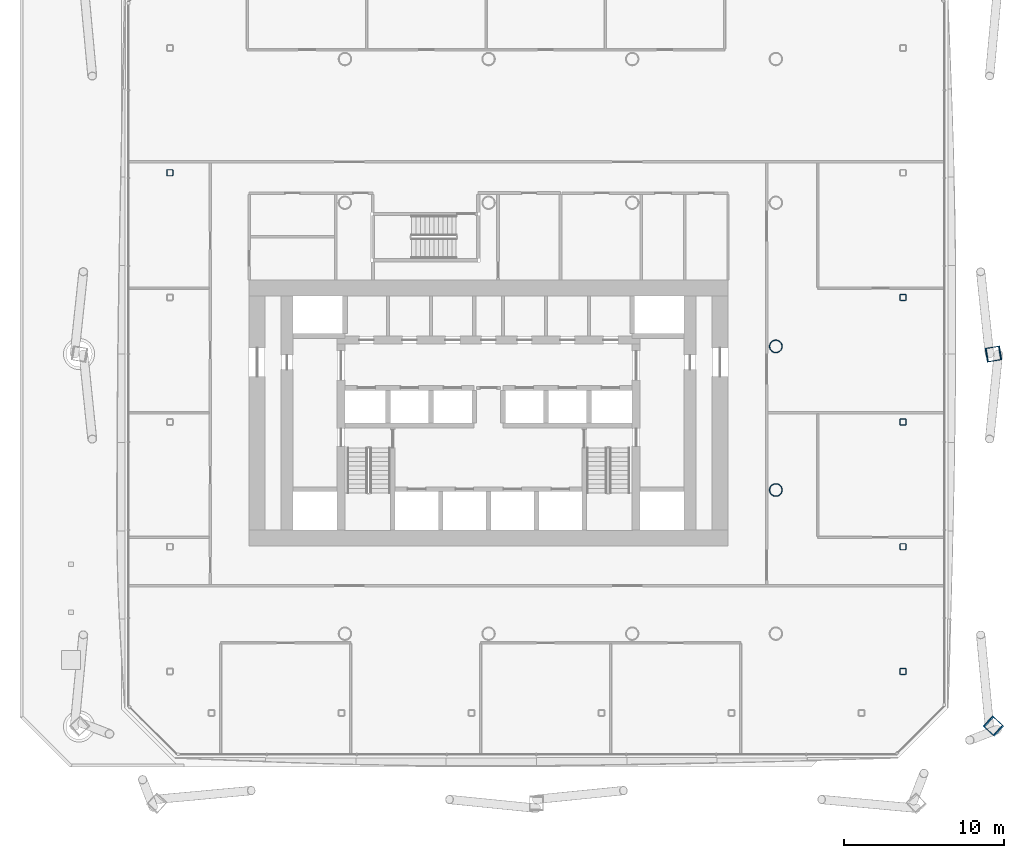
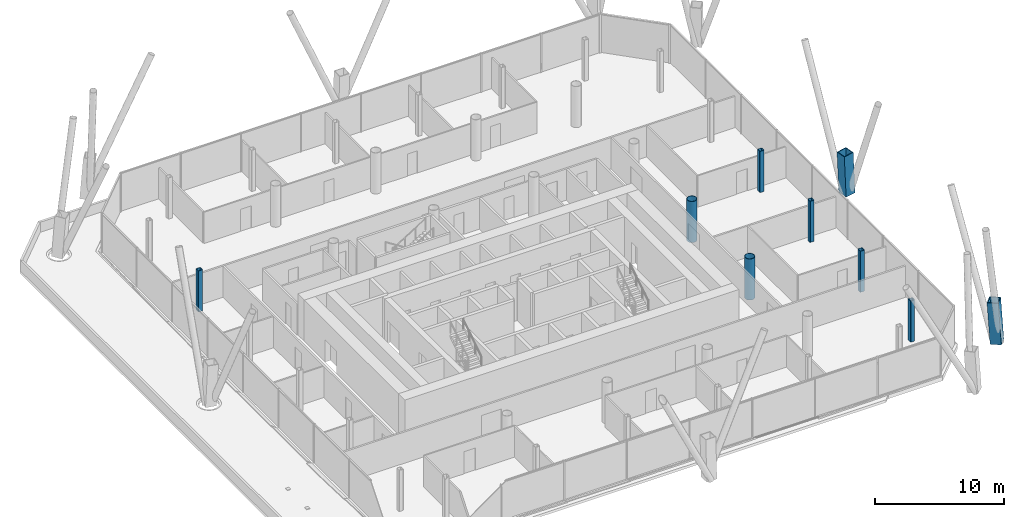
# One storey, part 2 of 23: 9 columns.
"""IFC4 building model written with IfcOpenShell, lengths in metres."""

from ifc_helpers import new_model, si_unit, direction, frame, origin, origin_2d, place, context, subcontext, project, spatial, hollow_rectangle, hollow_circle, extrude, material, material_profile, profile_set, type_object, element, save


model = new_model("IFC4")

# Units and contexts
model_context = context("Model", 3, precision=1e-05, world=origin(), true_north=direction((0.0, 1.0)))
body_context = subcontext(model_context, "Body", "Model", "MODEL_VIEW")
ifc_project = project(units=[si_unit("LENGTHUNIT", "METRE"), si_unit("AREAUNIT", "SQUARE_METRE"), si_unit("VOLUMEUNIT", "CUBIC_METRE"), si_unit("PLANEANGLEUNIT", "RADIAN"), si_unit("MASSUNIT", "GRAM", prefix="KILO")], contexts=[model_context])

# Site, building, storey
site_placement = place(None, origin())
site = spatial("IfcSite", under=ifc_project, at=site_placement, CompositionType="ELEMENT")
building_placement = place(site_placement, origin())
building = spatial("IfcBuilding", under=site, at=building_placement, Name="Tskaro Facet Tower", CompositionType="ELEMENT")
storey_placement = place(building_placement, frame((0.0, 0.0, 62.10009765625)))
storey = spatial("IfcBuildingStorey", under=building, at=storey_placement, Name="L14", CompositionType="ELEMENT", Elevation=62.10009765625)

# Columns
ifc_material_1 = material(Name="Steel S460M", Category="steel")
ifc_material_profile_1 = material_profile(ifc_material_1, hollow_rectangle(XDim=0.89990234375, YDim=0.89990234375, WallThickness=0.054931640625, at=origin_2d()), Name="BOX 900x900x55")
ifc_profile_set_1 = profile_set([ifc_material_profile_1], Name="Steel S460M")
column_type_1 = type_object("IfcColumnType", Name="BOX 900x900x55 mega column", PredefinedType="COLUMN", material=ifc_profile_set_1)
column_1_placement = place(storey_placement, frame((31.658935546875, -23.81591796875, 0.0), z_axis=(-0.046794449872, 0.042733516305, 0.997990043059), x_axis=(-0.674339490337, -0.738421459448, 0.0)))
element("IfcColumn", 1, at=column_1_placement, inside=storey, type_object=column_type_1, Name="BOX 900x900x55 MC04/2", PredefinedType="COLUMN", context=body_context, shape_type="SweptSolid", body=[
    extrude(hollow_rectangle(XDim=0.89990234375, YDim=0.89990234375, WallThickness=0.054931640625, at=origin_2d()), origin(), (0.0, 0.0, 1.0), 3.90771484375),
])
column_2_placement = place(storey_placement, frame((31.658935546875, -0.47802734375, 0.0), z_axis=(-0.046835850016, -0.007691334515, 0.998872988186), x_axis=(0.162048444398, -0.986782803695, 0.0)))
element("IfcColumn", 2, at=column_2_placement, inside=storey, type_object=column_type_1, Name="BOX 900x900x55 MC05/2", PredefinedType="COLUMN", context=body_context, shape_type="SweptSolid", body=[
    extrude(hollow_rectangle(XDim=0.89990234375, YDim=0.89990234375, WallThickness=0.054931640625, at=origin_2d()), origin(), (0.0, 0.0, 1.0), 3.904296875),
])
ifc_material_2 = material(Name="Steel S355J2H", Category="steel")
ifc_material_profile_2 = material_profile(ifc_material_2, hollow_circle(Radius=0.406494140625, WallThickness=0.035888671875, at=origin_2d()), Name="CHS 812.8x36")
ifc_profile_set_2 = profile_set([ifc_material_profile_2], Name="Steel S355J2H")
column_type_2 = type_object("IfcColumnType", Name="CHS 812.8x36 interior column", PredefinedType="COLUMN", material=ifc_profile_set_2)
for number, where, z_axis, x_axis, name in (
    (3, (18.0, -9.0, 0.0), (0.0, 0.0, 1.0), (1.0, 0.0, 0.0), "CHS 812.8x36 C6C/2"),
    (4, (18.0, 0.0, 0.0), (0.0, 0.0, 1.0), (1.0, 0.0, 0.0), "CHS 812.8x36 C6D/2"),
):
    element("IfcColumn", number, at=place(storey_placement, frame(where, z_axis=z_axis, x_axis=x_axis)), inside=storey, type_object=column_type_2, Name=name, PredefinedType="COLUMN", context=body_context, shape_type="SweptSolid", body=[
        extrude(hollow_circle(Radius=0.406494140625, WallThickness=0.035888671875, at=origin_2d()), origin(), (0.0, 0.0, 1.0), 3.89990234375),
    ])
ifc_material_profile_3 = material_profile(ifc_material_2, hollow_rectangle(XDim=0.39990234375, YDim=0.39990234375, WallThickness=0.02490234375, InnerFilletRadius=0.03759765625, OuterFilletRadius=0.0625, at=origin_2d()), Name="SHS 400x400x25")
ifc_profile_set_3 = profile_set([ifc_material_profile_3], Name="Steel S355J2H")
column_type_3 = type_object("IfcColumnType", Name="SHS 400x400x25 ring column", PredefinedType="COLUMN", material=ifc_profile_set_3)
for number, where, z_axis, x_axis, name in (
    (5, (25.965087890625, -20.364013671875, 0.0), (0.0, 0.0, 1.0), (1.0, 0.0, 0.0), "SHS 400x400x25 RE-1/2"),
    (6, (25.965087890625, -12.552978515625, 0.0), (0.0, 0.0, 1.0), (1.0, 0.0, 0.0), "SHS 400x400x25 RE-2/2"),
    (7, (25.965087890625, -4.741943359375, 0.0), (0.0, 0.0, 1.0), (1.0, 0.0, 0.0), "SHS 400x400x25 RE-3/2"),
    (8, (25.965087890625, 3.068115234375, 0.0), (0.0, 0.0, 1.0), (1.0, 0.0, 0.0), "SHS 400x400x25 RE-4/2"),
    (9, (-19.965087890625, 10.87890625, 0.0), (0.0, 0.0, 1.0), (1.0, 0.0, 0.0), "SHS 400x400x25 RW-2/2"),
):
    element("IfcColumn", number, at=place(storey_placement, frame(where, z_axis=z_axis, x_axis=x_axis)), inside=storey, type_object=column_type_3, Name=name, PredefinedType="COLUMN", context=body_context, shape_type="SweptSolid", body=[
        extrude(hollow_rectangle(XDim=0.39990234375, YDim=0.39990234375, WallThickness=0.02490234375, InnerFilletRadius=0.03759765625, OuterFilletRadius=0.0625, at=origin_2d()), origin(), (0.0, 0.0, 1.0), 3.89990234375),
    ])

save(model, "model.ifc")
